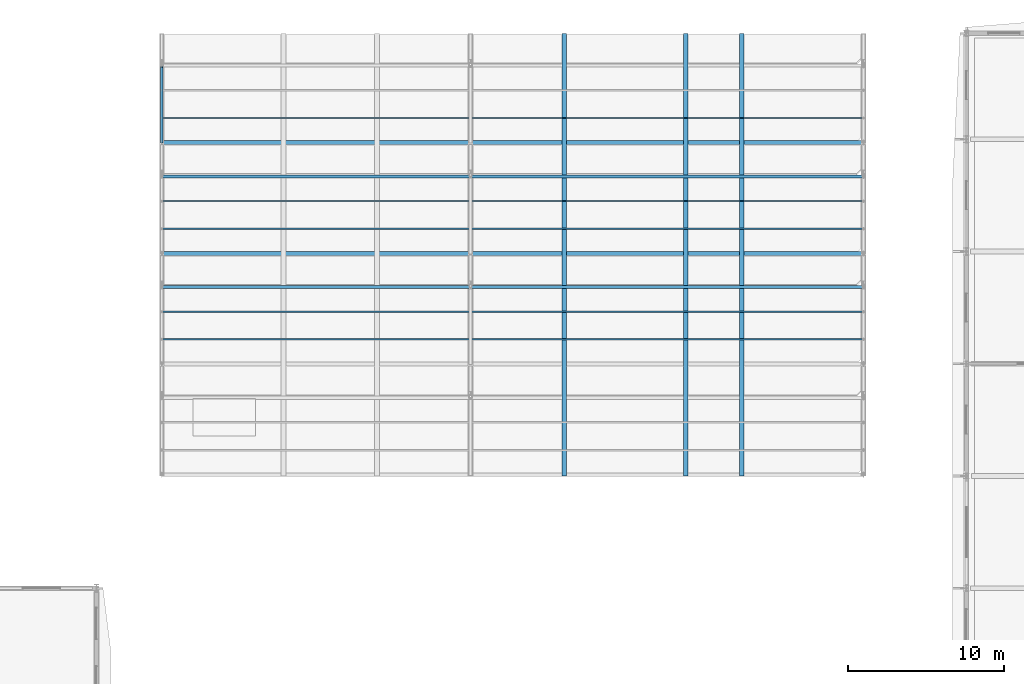
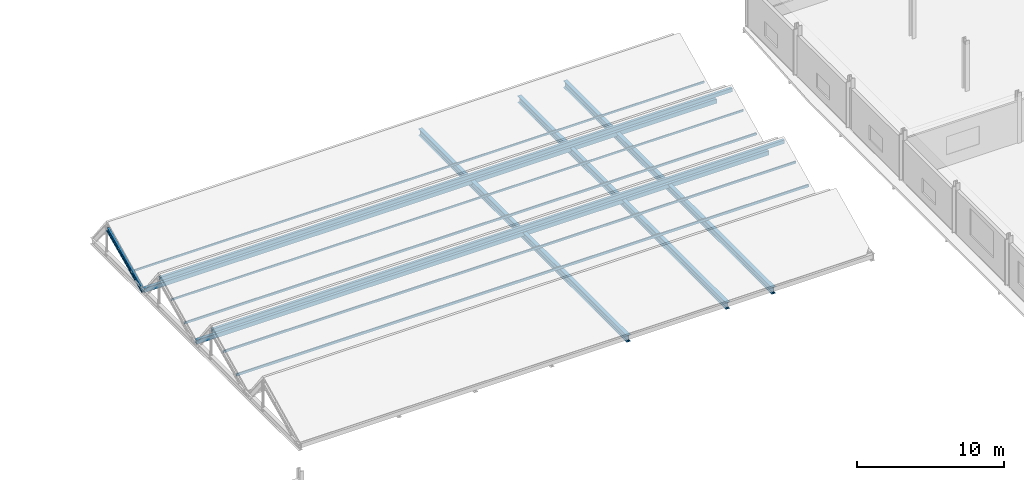
# One storey, part 78 of 138: 9 members, 4 beams.
"""IFC4 building model written with IfcOpenShell, lengths in metres."""

from ifc_helpers import new_model, si_unit, direction, frame, origin, origin_2d, place, context, subcontext, project, spatial, hollow_rectangle, i_section, extrude, material, material_profile, profile_set, type_object, element, save


model = new_model("IFC4")

# Units and contexts
model_context = context("Model", 3, precision=1e-05, world=origin(), true_north=direction((0.0, 1.0)))
body_context = subcontext(model_context, "Body", "Model", "MODEL_VIEW")
ifc_project = project(units=[si_unit("LENGTHUNIT", "METRE"), si_unit("AREAUNIT", "SQUARE_METRE"), si_unit("VOLUMEUNIT", "CUBIC_METRE"), si_unit("PLANEANGLEUNIT", "RADIAN"), si_unit("MASSUNIT", "GRAM", prefix="KILO")], contexts=[model_context])

# Site, building, storey
site_placement = place(None, origin())
site = spatial("IfcSite", under=ifc_project, at=site_placement, CompositionType="ELEMENT")
building_placement = place(site_placement, origin())
building = spatial("IfcBuilding", under=site, at=building_placement, Name="Vinh Khe Railworks Police Headquarters", CompositionType="ELEMENT")
storey_placement = place(building_placement, frame((0.0, 0.0, 9.0)))
storey = spatial("IfcBuildingStorey", under=building, at=storey_placement, Name="L02", CompositionType="ELEMENT", Elevation=9.0)

# Members
ifc_material = material(Name="Steel S355JR", Category="steel")
ifc_material_profile_1 = material_profile(ifc_material, hollow_rectangle(XDim=0.080078125, YDim=0.159912109375, WallThickness=0.008056640625, at=origin_2d()), Name="RHS 160x80x8")
ifc_profile_set_1 = profile_set([ifc_material_profile_1], Name="Steel S355JR")
member_type_1 = type_object("IfcMemberType", Name="Roof Purlin RHS 160x80x8", PredefinedType="PURLIN", material=ifc_profile_set_1)
for number, where, z_axis, x_axis, name in (
    (1, (26.39990234375, 155.635498046875, 1.761962890625), (1.0, 0.0, 0.0), (0.0, 1.0, 0.0), "Sawtooth Roof Purlin 062"),
    (2, (26.39990234375, 160.96435546875, 0.89794921875), (1.0, 0.0, 0.0), (0.0, 1.0, 0.0), "Sawtooth Roof Purlin 063"),
):
    element("IfcMember", number, at=place(storey_placement, frame(where, z_axis=z_axis, x_axis=x_axis)), inside=storey, type_object=member_type_1, Name=name, PredefinedType="PURLIN", context=body_context, shape_type="SweptSolid", body=[
        extrude(hollow_rectangle(XDim=0.080078125, YDim=0.159912109375, WallThickness=0.008056640625, at=origin_2d()), origin(), (0.0, 0.0, 1.0), 45.0),
    ])
ifc_material_profile_2 = material_profile(ifc_material, hollow_rectangle(XDim=0.10009765625, YDim=0.179931640625, WallThickness=0.008056640625, at=origin_2d()), Name="RHS 180x100x8")
ifc_profile_set_2 = profile_set([ifc_material_profile_2], Name="Steel S355JR")
member_type_2 = type_object("IfcMemberType", Name="Roof Purlin RHS 180x100x8", PredefinedType="PURLIN", material=ifc_profile_set_2)
for number, where, z_axis, x_axis, name in (
    (3, (26.39990234375, 148.53564453125, 1.761962890625), (1.0, 0.0, 0.0), (0.0, 1.0, 0.0), "Sawtooth Roof Purlin 060"),
    (4, (26.39990234375, 153.864501953125, 0.89794921875), (1.0, 0.0, 0.0), (0.0, 1.0, 0.0), "Sawtooth Roof Purlin 061"),
):
    element("IfcMember", number, at=place(storey_placement, frame(where, z_axis=z_axis, x_axis=x_axis)), inside=storey, type_object=member_type_2, Name=name, PredefinedType="PURLIN", context=body_context, shape_type="SweptSolid", body=[
        extrude(hollow_rectangle(XDim=0.10009765625, YDim=0.179931640625, WallThickness=0.008056640625, at=origin_2d()), origin(), (0.0, 0.0, 1.0), 45.0),
    ])
ifc_material_profile_3 = material_profile(ifc_material, hollow_rectangle(XDim=0.10009765625, YDim=0.199951171875, WallThickness=0.008056640625, at=origin_2d()), Name="RHS 200x100x8")
ifc_profile_set_3 = profile_set([ifc_material_profile_3], Name="Steel S355JR")
member_type_3 = type_object("IfcMemberType", Name="Roof Purlin RHS 200x100x8", PredefinedType="PURLIN", material=ifc_profile_set_3)
member_placement = place(storey_placement, frame((26.39990234375, 146.764404296875, 0.89794921875), z_axis=(1.0, 0.0, 0.0), x_axis=(0.0, 1.0, 0.0)))
element("IfcMember", 5, at=member_placement, inside=storey, type_object=member_type_3, Name="Sawtooth Roof Purlin 059", PredefinedType="PURLIN", context=body_context, shape_type="SweptSolid", body=[
    extrude(hollow_rectangle(XDim=0.10009765625, YDim=0.199951171875, WallThickness=0.008056640625, at=origin_2d()), origin(), (0.0, 0.0, 1.0), 45.0),
])

# Beams
ifc_material_profile_4 = material_profile(ifc_material, i_section(OverallWidth=0.300048828125, OverallDepth=0.550048828125, WebThickness=0.014892578125, FlangeThickness=0.029052734375, FilletRadius=0.027099609375, at=origin_2d()), Name="HEB 550")
ifc_profile_set_4 = profile_set([ifc_material_profile_4], Name="Steel S355JR")
beam_type_1 = type_object("IfcBeamType", Name="Steel Girder HEB 550", PredefinedType="BEAM", material=ifc_profile_set_4)
for number, where, z_axis, x_axis, name in (
    (6, (52.199951171875, 138.0, 0.199951171875), (0.0, 1.0, 0.0), (-1.0, 0.0, 0.0), "Sawtooth Carrier Girder X=52.2"),
    (7, (60.0, 138.0, 0.199951171875), (0.0, 1.0, 0.0), (-1.0, 0.0, 0.0), "Sawtooth Carrier Girder X=60.0"),
    (8, (63.60009765625, 138.0, 0.199951171875), (0.0, 1.0, 0.0), (-1.0, 0.0, 0.0), "Sawtooth Carrier Girder X=63.6"),
):
    element("IfcBeam", number, at=place(storey_placement, frame(where, z_axis=z_axis, x_axis=x_axis)), inside=storey, type_object=beam_type_1, Name=name, PredefinedType="BEAM", context=body_context, shape_type="SweptSolid", body=[
        extrude(i_section(OverallWidth=0.300048828125, OverallDepth=0.550048828125, WebThickness=0.014892578125, FlangeThickness=0.029052734375, FilletRadius=0.027099609375, at=origin_2d()), origin(), (0.0, 0.0, 1.0), 28.39990234375),
    ])
ifc_material_profile_5 = material_profile(ifc_material, i_section(OverallWidth=0.169921875, OverallDepth=0.360107421875, WebThickness=0.008056640625, FlangeThickness=0.0126953125, FilletRadius=0.01806640625, at=origin_2d()), Name="IPE 360")
ifc_profile_set_5 = profile_set([ifc_material_profile_5], Name="Steel S355JR")
beam_type_2 = type_object("IfcBeamType", Name="Steel Girder IPE 360", PredefinedType="BEAM", material=ifc_profile_set_5)
beam_placement = place(storey_placement, frame((26.39990234375, 159.419921875, 0.179931640625), z_axis=(0.0, 0.90818224373, 0.418574977959), x_axis=(-1.0, 0.0, 0.0)))
element("IfcBeam", 9, at=beam_placement, inside=storey, type_object=beam_type_2, Name="Sawtooth Slope Girder 4S", PredefinedType="BEAM", context=body_context, shape_type="SweptSolid", body=[
    extrude(i_section(OverallWidth=0.169921875, OverallDepth=0.360107421875, WebThickness=0.008056640625, FlangeThickness=0.0126953125, FilletRadius=0.01806640625, at=origin_2d()), origin(), (0.0, 0.0, 1.0), 5.3515625),
])

# Members
ifc_material_profile_6 = material_profile(ifc_material, hollow_rectangle(XDim=0.199951171875, YDim=0.300048828125, WallThickness=0.012451171875, at=origin_2d()), Name="RHS 300x200x12.5")
ifc_profile_set_6 = profile_set([ifc_material_profile_6], Name="Steel S355JR")
member_type_4 = type_object("IfcMemberType", Name="Truss Chord RHS 300x200x12.5", PredefinedType="CHORD", material=ifc_profile_set_6)
for number, where, z_axis, x_axis, name in (
    (10, (26.39990234375, 150.1201171875, 2.550048828125), (1.0, 0.0, 0.0), (0.0, 1.0, 0.0), "Sawtooth Truss TOP Chord 2"),
    (11, (26.39990234375, 157.219970703125, 2.550048828125), (1.0, 0.0, 0.0), (0.0, 1.0, 0.0), "Sawtooth Truss TOP Chord 3"),
):
    element("IfcMember", number, at=place(storey_placement, frame(where, z_axis=z_axis, x_axis=x_axis)), inside=storey, type_object=member_type_4, Name=name, PredefinedType="CHORD", context=body_context, shape_type="SweptSolid", body=[
        extrude(hollow_rectangle(XDim=0.199951171875, YDim=0.300048828125, WallThickness=0.012451171875, at=origin_2d()), origin(), (0.0, 0.0, 1.0), 45.0),
    ])
ifc_material_profile_7 = material_profile(ifc_material, hollow_rectangle(XDim=0.25, YDim=0.35009765625, WallThickness=0.012451171875, at=origin_2d()), Name="RHS 350x250x12.5")
ifc_profile_set_7 = profile_set([ifc_material_profile_7], Name="Steel S355JR")
member_type_5 = type_object("IfcMemberType", Name="Truss Chord RHS 350x250x12.5", PredefinedType="CHORD", material=ifc_profile_set_7)
for number, where, z_axis, x_axis, name in (
    (12, (26.39990234375, 152.280029296875, 0.320068359375), (1.0, 0.0, 0.0), (0.0, 1.0, 0.0), "Sawtooth Truss BOT Chord 3"),
    (13, (26.39990234375, 159.3798828125, 0.320068359375), (1.0, 0.0, 0.0), (0.0, 1.0, 0.0), "Sawtooth Truss BOT Chord 4"),
):
    element("IfcMember", number, at=place(storey_placement, frame(where, z_axis=z_axis, x_axis=x_axis)), inside=storey, type_object=member_type_5, Name=name, PredefinedType="CHORD", context=body_context, shape_type="SweptSolid", body=[
        extrude(hollow_rectangle(XDim=0.25, YDim=0.35009765625, WallThickness=0.012451171875, at=origin_2d()), origin(), (0.0, 0.0, 1.0), 45.0),
    ])

save(model, "model.ifc")
